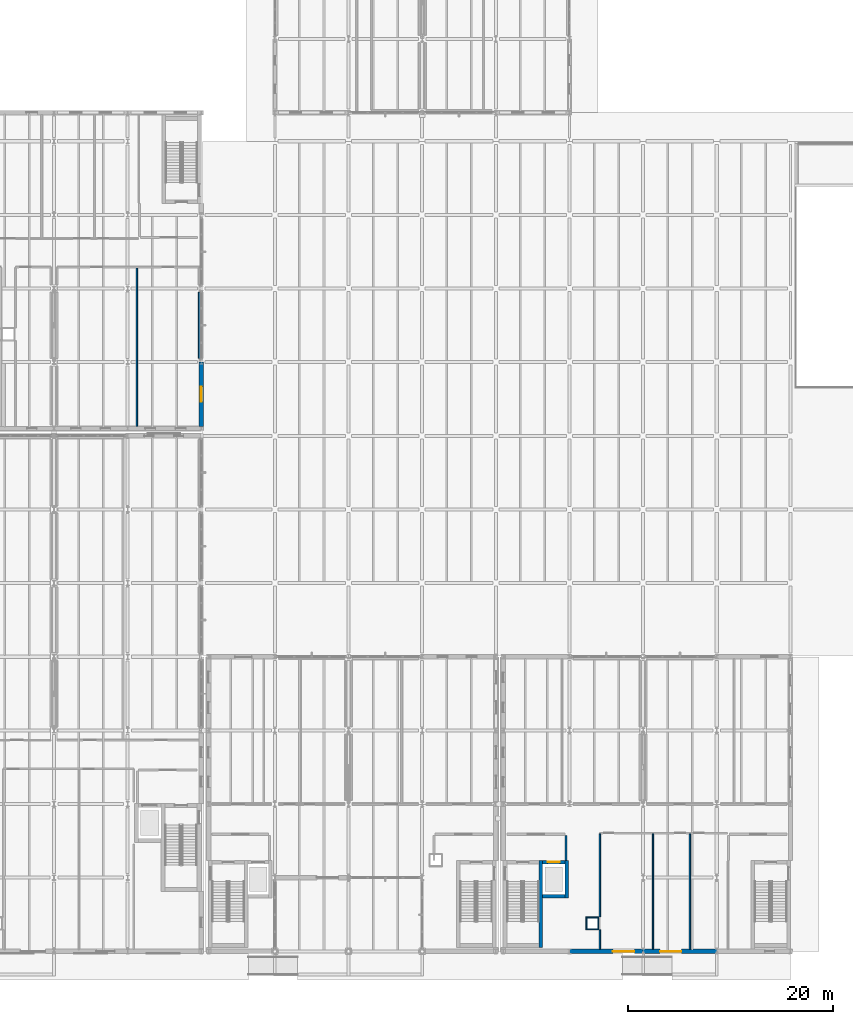
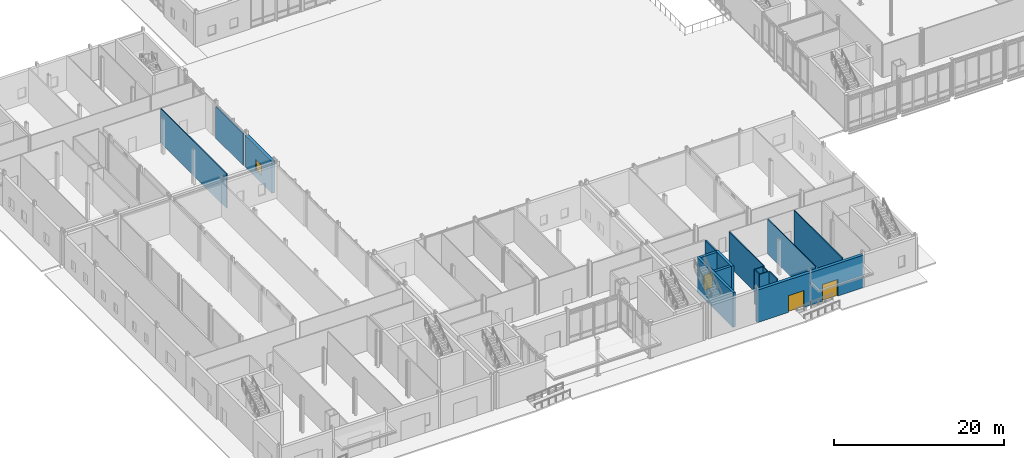
# One storey, part 63 of 89: 18 walls, 3 doors, 1 window, 4 openings.
"""IFC4 building model written with IfcOpenShell, lengths in metres."""

from ifc_helpers import new_model, si_unit, direction, frame, frame_2d, origin, place, context, subcontext, project, spatial, rectangle, extrude, material, layer, layer_set, type_object, element, fill, save


model = new_model("IFC4")

# Units and contexts
model_context = context("Model", 3, precision=1e-05, world=origin(), true_north=direction((0.0, 1.0)))
body_context = subcontext(model_context, "Body", "Model", "MODEL_VIEW")
ifc_project = project(units=[si_unit("LENGTHUNIT", "METRE"), si_unit("AREAUNIT", "SQUARE_METRE"), si_unit("VOLUMEUNIT", "CUBIC_METRE"), si_unit("PLANEANGLEUNIT", "RADIAN"), si_unit("MASSUNIT", "GRAM", prefix="KILO")], contexts=[model_context])

# Site, building, storey
site_placement = place(None, origin())
site = spatial("IfcSite", under=ifc_project, at=site_placement, CompositionType="ELEMENT")
building_placement = place(site_placement, origin())
building = spatial("IfcBuilding", under=site, at=building_placement, Name="Zarrinpeak Specialist Clinic", CompositionType="ELEMENT")
storey_placement = place(building_placement, origin())
storey = spatial("IfcBuildingStorey", under=building, at=storey_placement, Name="L00", CompositionType="ELEMENT", Elevation=0.0)

# Walls
ifc_material_1 = material(Name="Concrete C40/50", Category="concrete")
ifc_layer_1 = layer(ifc_material_1, 0.35009765625)
ifc_layer_set_1 = layer_set([ifc_layer_1], Name="Concrete C40/50")
wall_type_1 = type_object("IfcWallType", Name="WL-CR350", PredefinedType="SHEAR", material=ifc_layer_set_1)
wall_1_placement = place(storey_placement, frame((61.9951171875, 0.39990234375, 0.0), z_axis=(0.0, 0.0, 1.0), x_axis=(0.0, 1.0, 0.0)))
element("IfcWall", 1, at=wall_1_placement, inside=storey, type_object=wall_type_1, Name="L00 Core C07 Shear Wall STE", PredefinedType="SHEAR", context=body_context, shape_type="SweptSolid", body=[
    extrude(rectangle(XDim=8.5, YDim=0.35009765625, at=frame_2d((4.25, 0.0))), origin(), (0.0, 0.0, 1.0), 4.969970703125),
])
wall_2_placement = place(storey_placement, frame((62.169921875, 5.375, 0.0), z_axis=(0.0, 0.0, 1.0), x_axis=(1.0, 0.0, 0.0)))
element("IfcWall", 2, at=wall_2_placement, inside=storey, type_object=wall_type_1, Name="L00 Lift LF-P4 Shaft Wall LFS", PredefinedType="SHEAR", context=body_context, shape_type="SweptSolid", body=[
    extrude(rectangle(XDim=2.2001953125, YDim=0.35009765625, at=frame_2d((1.10009765625, 0.0))), origin(), (0.0, 0.0, 1.0), 4.969970703125),
])

# Wall, opening, door
wall_3_placement = place(storey_placement, frame((62.169921875, 8.72509765625, 0.0), z_axis=(0.0, 0.0, 1.0), x_axis=(1.0, 0.0, 0.0)))
wall_3 = element("IfcWall", 3, at=wall_3_placement, inside=storey, type_object=wall_type_1, Name="L00 Lift LF-P4 Shaft Wall LFN", PredefinedType="SHEAR", context=body_context, shape_type="SweptSolid", body=[
    extrude(rectangle(XDim=2.2001953125, YDim=0.35009765625, at=frame_2d((1.10009765625, 0.0))), origin(), (0.0, 0.0, 1.0), 4.969970703125),
])
opening_1_placement = place(wall_3_placement, frame((0.5, 0.0, 0.0)))
opening_1 = element("IfcOpeningElement", 4, at=opening_1_placement, cuts=wall_3, Name="Opening LD-02", PredefinedType="OPENING", context=body_context, shape_type="SweptSolid", body=[
    extrude(rectangle(XDim=1.199951171875, YDim=2.199951171875, at=frame_2d((0.60009765625, 1.10009765625))), frame((0.0, 0.18505859375, 0.0), z_axis=(0.0, -1.0, 0.0), x_axis=(1.0, 0.0, 0.0)), (0.0, 0.0, 1.0), 0.3701171875),
])
ifc_material_2 = material(Name="Powder-Coated Galvanised Steel", Category="steel")
door_type_1 = type_object("IfcDoorType", Name="DR-LD120", OperationType="SLIDING_TO_RIGHT", PredefinedType="DOOR", material=ifc_material_2)
door_1_placement = place(opening_1_placement, origin())
door_1 = element("IfcDoor", 5, at=door_1_placement, inside=storey, type_object=door_type_1, Name="L00 Lift LF-P4 Sliding Landing Door", OperationType="SLIDING_TO_RIGHT", OverallHeight=2.199951171875, OverallWidth=1.199951171875, PredefinedType="DOOR", context=body_context, shape_type="SweptSolid", body=[
    extrude(rectangle(XDim=1.199951171875, YDim=2.199951171875, at=frame_2d((0.60009765625, 1.10009765625))), frame((0.0, 0.02490234375, 0.0), z_axis=(0.0, -1.0, 0.0), x_axis=(1.0, 0.0, 0.0)), (0.0, 0.0, 1.0), 0.050048828125),
])
fill(opening_1, door_1)

# Wall
wall_4_placement = place(storey_placement, frame((64.544921875, 5.199951171875, 0.0), z_axis=(0.0, 0.0, 1.0), x_axis=(0.0, 1.0, 0.0)))
element("IfcWall", 6, at=wall_4_placement, inside=storey, type_object=wall_type_1, Name="L00 Lift LF-P4 Shaft Wall LFE", PredefinedType="SHEAR", context=body_context, shape_type="SweptSolid", body=[
    extrude(rectangle(XDim=3.699951171875, YDim=0.35009765625, at=frame_2d((1.85009765625, 0.0))), origin(), (0.0, 0.0, 1.0), 4.969970703125),
])

# Wall, opening, door
ifc_material_3 = material(Name="Precast concrete C40/50", Category="concrete")
ifc_layer_2 = layer(ifc_material_3, 0.419921875)
ifc_layer_set_2 = layer_set([ifc_layer_2], Name="Precast concrete C40/50")
wall_type_2 = type_object("IfcWallType", Name="WL-EW420", PredefinedType="STANDARD", material=ifc_layer_set_2)
wall_5_placement = place(storey_placement, frame((64.800048828125, 0.0, 0.0), z_axis=(0.0, 0.0, 1.0), x_axis=(1.0, 0.0, 0.0)))
wall_5 = element("IfcWall", 7, at=wall_5_placement, inside=storey, type_object=wall_type_2, Name="L00 V4 Exterior GRC Wall EW-L00-V4-0152", PredefinedType="STANDARD", context=body_context, shape_type="SweptSolid", body=[
    extrude(rectangle(XDim=7.199951171875, YDim=0.419921875, at=frame_2d((3.60009765625, 0.0))), origin(), (0.0, 0.0, 1.0), 4.6650390625),
])
opening_2_placement = place(wall_5_placement, frame((4.25, 0.0, 0.0)))
opening_2 = element("IfcOpeningElement", 8, at=opening_2_placement, cuts=wall_5, Name="Opening D-E02", PredefinedType="OPENING", context=body_context, shape_type="SweptSolid", body=[
    extrude(rectangle(XDim=2.10009765625, YDim=2.39990234375, at=frame_2d((1.050048828125, 1.199951171875))), frame((0.0, 0.219970703125, 0.0), z_axis=(0.0, -1.0, 0.0), x_axis=(1.0, 0.0, 0.0)), (0.0, 0.0, 1.0), 0.43994140625),
])
ifc_material_4 = material(Name="Powder-Coated Steel and Safety Glazing", Category="steel")
door_type_2 = type_object("IfcDoorType", Name="DR-ENT210", OperationType="DOUBLE_DOOR_SINGLE_SWING", PredefinedType="DOOR", material=ifc_material_4)
door_2_placement = place(opening_2_placement, origin())
door_2 = element("IfcDoor", 9, at=door_2_placement, inside=storey, type_object=door_type_2, Name="V4 South Promenade Outpatient Entrance", OperationType="DOUBLE_DOOR_SINGLE_SWING", OverallHeight=2.39990234375, OverallWidth=2.10009765625, PredefinedType="DOOR", context=body_context, shape_type="SweptSolid", body=[
    extrude(rectangle(XDim=2.10009765625, YDim=2.39990234375, at=frame_2d((1.050048828125, 1.199951171875))), frame((0.0, 0.02490234375, 0.0), z_axis=(0.0, -1.0, 0.0), x_axis=(1.0, 0.0, 0.0)), (0.0, 0.0, 1.0), 0.050048828125),
])
fill(opening_2, door_2)

wall_6_placement = place(storey_placement, frame((72.0, 0.0, 0.0), z_axis=(0.0, 0.0, 1.0), x_axis=(1.0, 0.0, 0.0)))
wall_6 = element("IfcWall", 10, at=wall_6_placement, inside=storey, type_object=wall_type_2, Name="L00 V4 Exterior GRC Wall EW-L00-V4-0153", PredefinedType="STANDARD", context=body_context, shape_type="SweptSolid", body=[
    extrude(rectangle(XDim=7.199951171875, YDim=0.419921875, at=frame_2d((3.60009765625, 0.0))), origin(), (0.0, 0.0, 1.0), 4.6650390625),
])
opening_3_placement = place(wall_6_placement, frame((1.64990234375, 0.0, 0.0)))
opening_3 = element("IfcOpeningElement", 11, at=opening_3_placement, cuts=wall_6, Name="Opening D-E02", PredefinedType="OPENING", context=body_context, shape_type="SweptSolid", body=[
    extrude(rectangle(XDim=2.10009765625, YDim=2.39990234375, at=frame_2d((1.050048828125, 1.199951171875))), frame((0.0, 0.219970703125, 0.0), z_axis=(0.0, -1.0, 0.0), x_axis=(1.0, 0.0, 0.0)), (0.0, 0.0, 1.0), 0.43994140625),
])
door_3_placement = place(opening_3_placement, origin())
door_3 = element("IfcDoor", 12, at=door_3_placement, inside=storey, type_object=door_type_2, Name="V4 Day Procedure South Promenade Entrance", OperationType="DOUBLE_DOOR_SINGLE_SWING", OverallHeight=2.39990234375, OverallWidth=2.10009765625, PredefinedType="DOOR", context=body_context, shape_type="SweptSolid", body=[
    extrude(rectangle(XDim=2.10009765625, YDim=2.39990234375, at=frame_2d((1.050048828125, 1.199951171875))), frame((0.0, 0.02490234375, 0.0), z_axis=(0.0, -1.0, 0.0), x_axis=(1.0, 0.0, 0.0)), (0.0, 0.0, 1.0), 0.050048828125),
])
fill(opening_3, door_3)

# Wall, opening, window
wall_7_placement = place(storey_placement, frame((28.800048828125, 51.330078125, 0.0), z_axis=(0.0, 0.0, 1.0), x_axis=(0.0, 1.0, 0.0)))
wall_7 = element("IfcWall", 13, at=wall_7_placement, inside=storey, type_object=wall_type_2, Name="L00 V5 Exterior GRC Wall EW-L00-V5-0223", PredefinedType="STANDARD", context=body_context, shape_type="SweptSolid", body=[
    extrude(rectangle(XDim=6.27001953125, YDim=0.419921875, at=frame_2d((3.135009765625, 0.0))), origin(), (0.0, 0.0, 1.0), 4.56494140625),
])
opening_4_placement = place(wall_7_placement, frame((2.385009765625, 0.0, 1.050048828125)))
opening_4 = element("IfcOpeningElement", 14, at=opening_4_placement, cuts=wall_7, Name="Opening W-05", PredefinedType="OPENING", context=body_context, shape_type="SweptSolid", body=[
    extrude(rectangle(XDim=1.5, YDim=1.5, at=frame_2d((0.75, 0.75))), frame((0.0, 0.219970703125, 0.0), z_axis=(0.0, -1.0, 0.0), x_axis=(1.0, 0.0, 0.0)), (0.0, 0.0, 1.0), 0.43994140625),
])
ifc_material_5 = material(Name="Thermally Broken Aluminium and Low-E Glazing", Category="aluminium")
window_type = type_object("IfcWindowType", Name="WN-SQ150", PartitioningType="SINGLE_PANEL", PredefinedType="WINDOW", material=ifc_material_5)
window_placement = place(opening_4_placement, origin())
window = element("IfcWindow", 15, at=window_placement, inside=storey, type_object=window_type, Name="L00 Modular Facade Window WN-L00-0259", OverallHeight=1.5, OverallWidth=1.5, PartitioningType="SINGLE_PANEL", PredefinedType="WINDOW", context=body_context, shape_type="SweptSolid", body=[
    extrude(rectangle(XDim=1.5, YDim=1.5, at=frame_2d((0.75, 0.75))), frame((0.0, 0.030029296875, 0.0), z_axis=(0.0, -1.0, 0.0), x_axis=(1.0, 0.0, 0.0)), (0.0, 0.0, 1.0), 0.06005859375),
])
fill(opening_4, window)

# Walls
ifc_material_6 = material(Name="Sanitary Service Chase Plumbing Wall", Category="gypsum")
ifc_layer_3 = layer(ifc_material_6, 0.110107421875)
ifc_layer_set_3 = layer_set([ifc_layer_3], Name="Sanitary Service Chase Plumbing Wall")
wall_type_3 = type_object("IfcWallType", Name="WL-IW110", PredefinedType="PARTITIONING", material=ifc_layer_set_3)
for number, where, z_axis, x_axis, name in (
    (16, (66.409912109375, 2.14501953125, 0.0), (0.0, 0.0, 1.0), (1.0, 0.0, 0.0), "L00 V4 Enclosed MEP Service Riser Wall S"),
    (17, (66.409912109375, 3.304931640625, 0.0), (0.0, 0.0, 1.0), (1.0, 0.0, 0.0), "L00 V4 Enclosed MEP Service Riser Wall N"),
):
    element("IfcWall", number, at=place(storey_placement, frame(where, z_axis=z_axis, x_axis=x_axis)), inside=storey, type_object=wall_type_3, Name=name, PredefinedType="PARTITIONING", context=body_context, shape_type="SweptSolid", body=[
        extrude(rectangle(XDim=1.27001953125, YDim=0.110107421875, at=frame_2d((0.635009765625, 0.0))), origin(), (0.0, 0.0, 1.0), 4.969970703125),
    ])
for number, where, z_axis, x_axis, name in (
    (18, (66.465087890625, 2.199951171875, 0.0), (0.0, 0.0, 1.0), (0.0, 1.0, 0.0), "L00 V4 Enclosed MEP Service Riser Wall W"),
    (19, (67.625, 2.199951171875, 0.0), (0.0, 0.0, 1.0), (0.0, 1.0, 0.0), "L00 V4 Enclosed MEP Service Riser Wall E"),
):
    element("IfcWall", number, at=place(storey_placement, frame(where, z_axis=z_axis, x_axis=x_axis)), inside=storey, type_object=wall_type_3, Name=name, PredefinedType="PARTITIONING", context=body_context, shape_type="SweptSolid", body=[
        extrude(rectangle(XDim=1.050048828125, YDim=0.110107421875, at=frame_2d((0.52490234375, 0.0))), origin(), (0.0, 0.0, 1.0), 4.969970703125),
    ])
wall_8_placement = place(storey_placement, frame((72.969970703125, 0.199951171875, 0.0), z_axis=(0.0, 0.0, 1.0), x_axis=(0.0, 1.0, 0.0)))
element("IfcWall", 20, at=wall_8_placement, inside=storey, type_object=wall_type_3, Name="L00 Accessible Patient WC Dividing Partition", PredefinedType="PARTITIONING", context=body_context, shape_type="SweptSolid", body=[
    extrude(rectangle(XDim=11.295166015625, YDim=0.110107421875, at=frame_2d((5.6474609375, 0.0))), origin(), (0.0, 0.0, 1.0), 4.969970703125),
])
ifc_material_7 = material(Name="Moisture-Resistant Wet-Room Partition", Category="gypsum")
ifc_layer_4 = layer(ifc_material_7, 0.125)
ifc_layer_set_4 = layer_set([ifc_layer_4], Name="Moisture-Resistant Wet-Room Partition")
wall_type_4 = type_object("IfcWallType", Name="WL-IW125W", PredefinedType="PARTITIONING", material=ifc_layer_set_4)
wall_9_placement = place(storey_placement, frame((76.570068359375, 0.199951171875, 0.0), z_axis=(0.0, 0.0, 1.0), x_axis=(0.0, 1.0, 0.0)))
element("IfcWall", 21, at=wall_9_placement, inside=storey, type_object=wall_type_4, Name="L00 Accessible Patient WC Dividing Partition", PredefinedType="PARTITIONING", context=body_context, shape_type="SweptSolid", body=[
    extrude(rectangle(XDim=11.295166015625, YDim=0.125, at=frame_2d((5.6474609375, 0.0))), origin(), (0.0, 0.0, 1.0), 4.969970703125),
])
ifc_material_8 = material(Name="Standard Drywall Partition", Category="gypsum")
ifc_layer_5 = layer(ifc_material_8, 0.135009765625)
ifc_layer_set_5 = layer_set([ifc_layer_5], Name="Standard Drywall Partition")
wall_type_5 = type_object("IfcWallType", Name="WL-IW135", PredefinedType="PARTITIONING", material=ifc_layer_set_5)
wall_10_placement = place(storey_placement, frame((22.5, 51.320068359375, 0.0), z_axis=(0.0, 0.0, 1.0), x_axis=(0.0, 1.0, 0.0)))
element("IfcWall", 22, at=wall_10_placement, inside=storey, type_object=wall_type_5, Name="L00 Specialist Consultation Room 1 Dividing Partition", PredefinedType="PARTITIONING", context=body_context, shape_type="SweptSolid", body=[
    extrude(rectangle(XDim=15.509033203125, YDim=0.135009765625, at=frame_2d((7.75439453125, 0.0))), origin(), (0.0, 0.0, 1.0), 4.93994140625),
])
wall_11_placement = place(storey_placement, frame((67.77001953125, 3.360107421875, 0.0), z_axis=(0.0, 0.0, 1.0), x_axis=(0.0, 1.0, 0.0)))
element("IfcWall", 23, at=wall_11_placement, inside=storey, type_object=wall_type_5, Name="L00 Day Surgery Admissions Lounge Dividing Partition", PredefinedType="PARTITIONING", context=body_context, shape_type="SweptSolid", body=[
    extrude(rectangle(XDim=8.135009765625, YDim=0.135009765625, at=frame_2d((4.0673828125, 0.0))), origin(), (0.0, 0.0, 1.0), 4.969970703125),
])
ifc_material_9 = material(Name="Acoustic Consultation Stud Partition", Category="gypsum")
ifc_layer_6 = layer(ifc_material_9, 0.14208984375)
ifc_layer_set_6 = layer_set([ifc_layer_6], Name="Acoustic Consultation Stud Partition")
wall_type_6 = type_object("IfcWallType", Name="WL-IW142", PredefinedType="PARTITIONING", material=ifc_layer_set_6)
wall_12_placement = place(storey_placement, frame((67.77001953125, 0.199951171875, 0.0), z_axis=(0.0, 0.0, 1.0), x_axis=(0.0, 1.0, 0.0)))
element("IfcWall", 24, at=wall_12_placement, inside=storey, type_object=wall_type_6, Name="L00 Day Surgery Admissions Lounge Dividing Partition", PredefinedType="PARTITIONING", context=body_context, shape_type="SweptSolid", body=[
    extrude(rectangle(XDim=1.89013671875, YDim=0.14208984375, at=frame_2d((0.945068359375, 0.0))), origin(), (0.0, 0.0, 1.0), 4.969970703125),
])
ifc_material_10 = material(Name="Insulated Clinical Gypsum Stud Partition", Category="gypsum")
ifc_layer_7 = layer(ifc_material_10, 0.14990234375)
ifc_layer_set_7 = layer_set([ifc_layer_7], Name="Insulated Clinical Gypsum Stud Partition")
wall_type_7 = type_object("IfcWallType", Name="WL-IW150", PredefinedType="PARTITIONING", material=ifc_layer_set_7)
wall_13_placement = place(storey_placement, frame((28.60009765625, 57.97998046875, 0.0), z_axis=(0.0, 0.0, 1.0), x_axis=(0.0, 1.0, 0.0)))
element("IfcWall", 25, at=wall_13_placement, inside=storey, type_object=wall_type_7, Name="L00 Specialist Consultation Room 1 Dividing Partition", PredefinedType="PARTITIONING", context=body_context, shape_type="SweptSolid", body=[
    extrude(rectangle(XDim=6.43994140625, YDim=0.14990234375, at=frame_2d((3.219970703125, 0.0))), origin(), (0.0, 0.0, 1.0), 4.56494140625),
])
ifc_material_11 = material(Name="Autoclaved Aerated Concrete Blockwork", Category="masonry")
ifc_layer_8 = layer(ifc_material_11, 0.199951171875)
ifc_layer_set_8 = layer_set([ifc_layer_8], Name="Autoclaved Aerated Concrete Blockwork")
wall_type_8 = type_object("IfcWallType", Name="WL-IW200", PredefinedType="PARTITIONING", material=ifc_layer_set_8)
wall_14_placement = place(storey_placement, frame((64.469970703125, 8.89990234375, 0.0), z_axis=(0.0, 0.0, 1.0), x_axis=(0.0, 1.0, 0.0)))
element("IfcWall", 26, at=wall_14_placement, inside=storey, type_object=wall_type_8, Name="L00 C07 Protected Lobby Partition LBE", PredefinedType="PARTITIONING", context=body_context, shape_type="SweptSolid", body=[
    extrude(rectangle(XDim=2.4501953125, YDim=0.199951171875, at=frame_2d((1.22509765625, 0.0))), origin(), (0.0, 0.0, 1.0), 4.969970703125),
])

save(model, "model.ifc")
